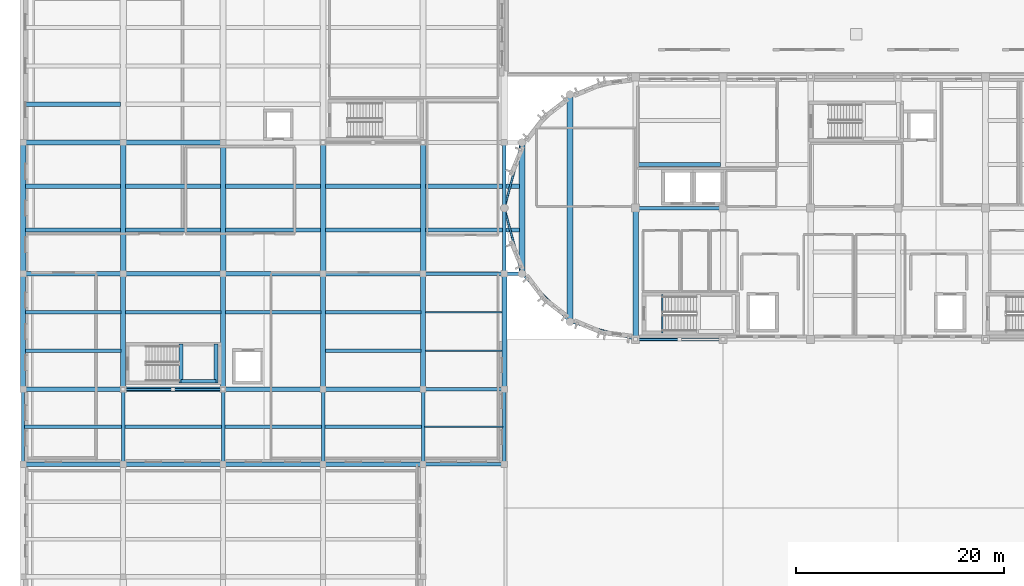
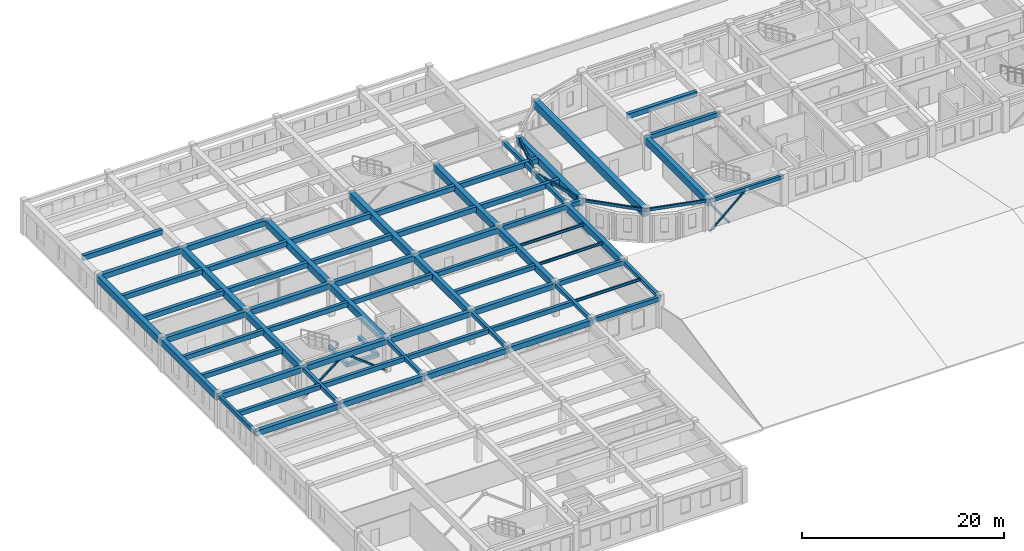
# One storey, part 4 of 46: 74 beams, 4 members.
"""IFC4 building model written with IfcOpenShell, lengths in metres."""

from ifc_helpers import new_model, si_unit, direction, frame, origin, origin_2d, place, context, subcontext, project, spatial, rectangle, hollow_rectangle, i_section, extrude, material, material_profile, profile_set, type_object, element, save


model = new_model("IFC4")

# Units and contexts
model_context = context("Model", 3, precision=1e-05, world=origin(), true_north=direction((0.0, 1.0)))
body_context = subcontext(model_context, "Body", "Model", "MODEL_VIEW")
ifc_project = project(units=[si_unit("LENGTHUNIT", "METRE"), si_unit("AREAUNIT", "SQUARE_METRE"), si_unit("VOLUMEUNIT", "CUBIC_METRE"), si_unit("PLANEANGLEUNIT", "RADIAN"), si_unit("MASSUNIT", "GRAM", prefix="KILO")], contexts=[model_context])

# Site, building, storey
site_placement = place(None, origin())
site = spatial("IfcSite", under=ifc_project, at=site_placement, CompositionType="ELEMENT")
building_placement = place(site_placement, origin())
building = spatial("IfcBuilding", under=site, at=building_placement, Name="Tarnavel Promenade Courthouse", CompositionType="ELEMENT")
storey_placement = place(building_placement, frame((0.0, 0.0, 14.39990234375)))
storey = spatial("IfcBuildingStorey", under=building, at=storey_placement, Name="L04", CompositionType="ELEMENT", Elevation=14.39990234375)

# Beams
ifc_material_1 = material(Name="Concrete C40/50", Category="concrete")
ifc_material_profile_1 = material_profile(ifc_material_1, rectangle(XDim=0.35009765625, YDim=0.550048828125, at=origin_2d()), Name="PT 350x550")
ifc_profile_set_1 = profile_set([ifc_material_profile_1], Name="Concrete C40/50")
beam_type_1 = type_object("IfcBeamType", Name="Concrete C40/50 BM-PT-350x550 (PT 350x550)", PredefinedType="JOIST", material=ifc_profile_set_1)
beam_1_placement = place(storey_placement, frame((0.1201171875, 70.800048828125, 3.68017578125), z_axis=(1.0, 0.0, 0.0), x_axis=(0.0, 1.0, 0.0)))
element("IfcBeam", 1, at=beam_1_placement, inside=storey, type_object=beam_type_1, Name="L04 Secondary Floor Rib 2149", PredefinedType="JOIST", context=body_context, shape_type="SweptSolid", body=[
    extrude(rectangle(XDim=0.35009765625, YDim=0.550048828125, at=origin_2d()), origin(), (0.0, 0.0, 1.0), 9.3349609375),
])
beam_2_placement = place(storey_placement, frame((9.7451171875, 70.800048828125, 3.68017578125), z_axis=(1.0, 0.0, 0.0), x_axis=(0.0, 1.0, 0.0)))
element("IfcBeam", 2, at=beam_2_placement, inside=storey, type_object=beam_type_1, Name="L04 Secondary Floor Rib 2150", PredefinedType="JOIST", context=body_context, shape_type="SweptSolid", body=[
    extrude(rectangle(XDim=0.35009765625, YDim=0.550048828125, at=origin_2d()), origin(), (0.0, 0.0, 1.0), 9.309814453125),
])
beam_3_placement = place(storey_placement, frame((19.344970703125, 70.800048828125, 3.68017578125), z_axis=(1.0, 0.0, 0.0), x_axis=(0.0, 1.0, 0.0)))
element("IfcBeam", 3, at=beam_3_placement, inside=storey, type_object=beam_type_1, Name="L04 Secondary Floor Rib 2151", PredefinedType="JOIST", context=body_context, shape_type="SweptSolid", body=[
    extrude(rectangle(XDim=0.35009765625, YDim=0.550048828125, at=origin_2d()), origin(), (0.0, 0.0, 1.0), 9.31005859375),
])
beam_4_placement = place(storey_placement, frame((28.945068359375, 70.800048828125, 3.68017578125), z_axis=(1.0, 0.0, 0.0), x_axis=(0.0, 1.0, 0.0)))
element("IfcBeam", 4, at=beam_4_placement, inside=storey, type_object=beam_type_1, Name="L04 Secondary Floor Rib 2152", PredefinedType="JOIST", context=body_context, shape_type="SweptSolid", body=[
    extrude(rectangle(XDim=0.35009765625, YDim=0.550048828125, at=origin_2d()), origin(), (0.0, 0.0, 1.0), 9.309814453125),
])
for number, where, z_axis, x_axis, name in (
    (5, (0.219970703125, 78.10009765625, 3.68017578125), (1.0, 0.0, 0.0), (0.0, 1.0, 0.0), "L04 Secondary Floor Rib 2154"),
    (6, (0.219970703125, 81.800048828125, 3.68017578125), (1.0, 0.0, 0.0), (0.0, 1.0, 0.0), "L04 Secondary Floor Rib 2155"),
    (7, (9.820068359375, 81.800048828125, 3.68017578125), (1.0, 0.0, 0.0), (0.0, 1.0, 0.0), "L04 Secondary Floor Rib 2156"),
):
    element("IfcBeam", number, at=place(storey_placement, frame(where, z_axis=z_axis, x_axis=x_axis)), inside=storey, type_object=beam_type_1, Name=name, PredefinedType="JOIST", context=body_context, shape_type="SweptSolid", body=[
        extrude(rectangle(XDim=0.35009765625, YDim=0.550048828125, at=origin_2d()), origin(), (0.0, 0.0, 1.0), 9.159912109375),
    ])
beam_5_placement = place(storey_placement, frame((19.419921875, 81.800048828125, 3.68017578125), z_axis=(1.0, 0.0, 0.0), x_axis=(0.0, 1.0, 0.0)))
element("IfcBeam", 8, at=beam_5_placement, inside=storey, type_object=beam_type_1, Name="L04 Secondary Floor Rib 2157", PredefinedType="JOIST", context=body_context, shape_type="SweptSolid", body=[
    extrude(rectangle(XDim=0.35009765625, YDim=0.550048828125, at=origin_2d()), origin(), (0.0, 0.0, 1.0), 9.16015625),
])
for number, where, z_axis, x_axis, name in (
    (9, (29.02001953125, 78.10009765625, 3.68017578125), (1.0, 0.0, 0.0), (0.0, 1.0, 0.0), "L04 Secondary Floor Rib 2158"),
    (10, (29.02001953125, 81.800048828125, 3.68017578125), (1.0, 0.0, 0.0), (0.0, 1.0, 0.0), "L04 Secondary Floor Rib 2159"),
):
    element("IfcBeam", number, at=place(storey_placement, frame(where, z_axis=z_axis, x_axis=x_axis)), inside=storey, type_object=beam_type_1, Name=name, PredefinedType="JOIST", context=body_context, shape_type="SweptSolid", body=[
        extrude(rectangle(XDim=0.35009765625, YDim=0.550048828125, at=origin_2d()), origin(), (0.0, 0.0, 1.0), 9.159912109375),
    ])
ifc_material_profile_2 = material_profile(ifc_material_1, rectangle(XDim=0.39990234375, YDim=0.60009765625, at=origin_2d()), Name="PT 400x600")
ifc_profile_set_2 = profile_set([ifc_material_profile_2], Name="Concrete C40/50")
beam_type_2 = type_object("IfcBeamType", Name="Concrete C40/50 BM-PT-400x600 (PT 400x600)", PredefinedType="JOIST", material=ifc_profile_set_2)
for number, where, z_axis, x_axis, name in (
    (11, (0.2451171875, 89.699951171875, 3.655029296875), (1.0, 0.0, 0.0), (0.0, 1.0, 0.0), "L04 Secondary Floor Rib 2162"),
    (12, (0.2451171875, 93.89990234375, 3.655029296875), (1.0, 0.0, 0.0), (0.0, 1.0, 0.0), "L04 Secondary Floor Rib 2163"),
):
    element("IfcBeam", number, at=place(storey_placement, frame(where, z_axis=z_axis, x_axis=x_axis)), inside=storey, type_object=beam_type_2, Name=name, PredefinedType="JOIST", context=body_context, shape_type="SweptSolid", body=[
        extrude(rectangle(XDim=0.39990234375, YDim=0.60009765625, at=origin_2d()), origin(), (0.0, 0.0, 1.0), 9.10986328125),
    ])
for number, where, z_axis, x_axis, name in (
    (13, (9.844970703125, 89.699951171875, 3.655029296875), (1.0, 0.0, 0.0), (0.0, 1.0, 0.0), "L04 Secondary Floor Rib 2164"),
    (14, (9.844970703125, 93.89990234375, 3.655029296875), (1.0, 0.0, 0.0), (0.0, 1.0, 0.0), "L04 Secondary Floor Rib 2165"),
):
    element("IfcBeam", number, at=place(storey_placement, frame(where, z_axis=z_axis, x_axis=x_axis)), inside=storey, type_object=beam_type_2, Name=name, PredefinedType="JOIST", context=body_context, shape_type="SweptSolid", body=[
        extrude(rectangle(XDim=0.39990234375, YDim=0.60009765625, at=origin_2d()), origin(), (0.0, 0.0, 1.0), 9.110107421875),
    ])
for number, where, z_axis, x_axis, name in (
    (15, (19.445068359375, 89.699951171875, 3.655029296875), (1.0, 0.0, 0.0), (0.0, 1.0, 0.0), "L04 Secondary Floor Rib 2166"),
    (16, (19.445068359375, 93.89990234375, 3.655029296875), (1.0, 0.0, 0.0), (0.0, 1.0, 0.0), "L04 Secondary Floor Rib 2167"),
):
    element("IfcBeam", number, at=place(storey_placement, frame(where, z_axis=z_axis, x_axis=x_axis)), inside=storey, type_object=beam_type_2, Name=name, PredefinedType="JOIST", context=body_context, shape_type="SweptSolid", body=[
        extrude(rectangle(XDim=0.39990234375, YDim=0.60009765625, at=origin_2d()), origin(), (0.0, 0.0, 1.0), 9.10986328125),
    ])
for number, where, z_axis, x_axis, name in (
    (17, (29.044921875, 89.699951171875, 3.655029296875), (1.0, 0.0, 0.0), (0.0, 1.0, 0.0), "L04 Secondary Floor Rib 2168"),
    (18, (29.044921875, 93.89990234375, 3.655029296875), (1.0, 0.0, 0.0), (0.0, 1.0, 0.0), "L04 Secondary Floor Rib 2169"),
):
    element("IfcBeam", number, at=place(storey_placement, frame(where, z_axis=z_axis, x_axis=x_axis)), inside=storey, type_object=beam_type_2, Name=name, PredefinedType="JOIST", context=body_context, shape_type="SweptSolid", body=[
        extrude(rectangle(XDim=0.39990234375, YDim=0.60009765625, at=origin_2d()), origin(), (0.0, 0.0, 1.0), 9.110107421875),
    ])
for number, where, z_axis, x_axis, name in (
    (19, (38.64501953125, 89.699951171875, 3.655029296875), (1.0, 0.0, 0.0), (0.0, 1.0, 0.0), "L04 Secondary Floor Rib 2170"),
    (20, (38.64501953125, 93.89990234375, 3.655029296875), (1.0, 0.0, 0.0), (0.0, 1.0, 0.0), "L04 Secondary Floor Rib 2171"),
):
    element("IfcBeam", number, at=place(storey_placement, frame(where, z_axis=z_axis, x_axis=x_axis)), inside=storey, type_object=beam_type_2, Name=name, PredefinedType="JOIST", context=body_context, shape_type="SweptSolid", body=[
        extrude(rectangle(XDim=0.39990234375, YDim=0.60009765625, at=origin_2d()), origin(), (0.0, 0.0, 1.0), 8.998046875),
    ])
beam_6_placement = place(storey_placement, frame((0.27001953125, 101.77490234375, 3.655029296875), z_axis=(1.0, 0.0, 0.0), x_axis=(0.0, 1.0, 0.0)))
element("IfcBeam", 21, at=beam_6_placement, inside=storey, type_object=beam_type_2, Name="L04 Secondary Floor Rib 2172", PredefinedType="JOIST", context=body_context, shape_type="SweptSolid", body=[
    extrude(rectangle(XDim=0.39990234375, YDim=0.60009765625, at=origin_2d()), origin(), (0.0, 0.0, 1.0), 9.06005859375),
])
beam_7_placement = place(storey_placement, frame((59.044921875, 96.0, 3.655029296875), z_axis=(1.0, 0.0, 0.0), x_axis=(0.0, 1.0, 0.0)))
element("IfcBeam", 22, at=beam_7_placement, inside=storey, type_object=beam_type_2, Name="L04 Secondary Floor Rib 2189", PredefinedType="JOIST", context=body_context, shape_type="SweptSolid", body=[
    extrude(rectangle(XDim=0.39990234375, YDim=0.60009765625, at=origin_2d()), origin(), (0.0, 0.0, 1.0), 7.91015625),
])
ifc_material_profile_3 = material_profile(ifc_material_1, rectangle(XDim=0.5, YDim=0.800048828125, at=origin_2d()), Name="PT 500x800")
ifc_profile_set_3 = profile_set([ifc_material_profile_3], Name="Concrete C40/50")
beam_type_3 = type_object("IfcBeamType", Name="Concrete C40/50 BM-PT-500x800 (PT 500x800)", PredefinedType="T_BEAM", material=ifc_profile_set_3)
for number, where, z_axis, x_axis, name in (
    (23, (0.0, 74.39990234375, 3.55517578125), (0.0, 1.0, 0.0), (-1.0, 0.0, 0.0), "L04 Transverse Girder 2065"),
    (24, (9.60009765625, 74.39990234375, 3.55517578125), (0.0, 1.0, 0.0), (-1.0, 0.0, 0.0), "L04 Transverse Girder 2071"),
    (25, (19.199951171875, 74.39990234375, 3.55517578125), (0.0, 1.0, 0.0), (-1.0, 0.0, 0.0), "L04 Transverse Girder 2078"),
    (26, (28.800048828125, 74.39990234375, 3.55517578125), (0.0, 1.0, 0.0), (-1.0, 0.0, 0.0), "L04 Transverse Girder 2085"),
    (27, (38.39990234375, 74.39990234375, 3.55517578125), (0.0, 1.0, 0.0), (-1.0, 0.0, 0.0), "L04 Transverse Girder 2092"),
    (28, (46.199951171875, 74.39990234375, 3.55517578125), (0.0, 1.0, 0.0), (-1.0, 0.0, 0.0), "L04 Transverse Girder 2096"),
):
    element("IfcBeam", number, at=place(storey_placement, frame(where, z_axis=z_axis, x_axis=x_axis)), inside=storey, type_object=beam_type_3, Name=name, PredefinedType="T_BEAM", context=body_context, shape_type="SweptSolid", body=[
        extrude(rectangle(XDim=0.5, YDim=0.800048828125, at=origin_2d()), origin(), (0.0, 0.0, 1.0), 11.10009765625),
    ])
ifc_material_profile_4 = material_profile(ifc_material_1, rectangle(XDim=0.550048828125, YDim=0.85009765625, at=origin_2d()), Name="PT 550x850")
ifc_profile_set_4 = profile_set([ifc_material_profile_4], Name="Concrete C40/50")
beam_type_4 = type_object("IfcBeamType", Name="Concrete C40/50 BM-PT-550x850 (PT 550x850)", PredefinedType="T_BEAM", material=ifc_profile_set_4)
for number, where, z_axis, x_axis, name in (
    (29, (0.0, 85.5, 3.530029296875), (0.0, 1.0, 0.0), (-1.0, 0.0, 0.0), "L04 Transverse Girder 2066"),
    (30, (9.60009765625, 85.5, 3.530029296875), (0.0, 1.0, 0.0), (-1.0, 0.0, 0.0), "L04 Transverse Girder 2072"),
    (31, (19.199951171875, 85.5, 3.530029296875), (0.0, 1.0, 0.0), (-1.0, 0.0, 0.0), "L04 Transverse Girder 2079"),
    (32, (28.800048828125, 85.5, 3.530029296875), (0.0, 1.0, 0.0), (-1.0, 0.0, 0.0), "L04 Transverse Girder 2086"),
    (33, (38.39990234375, 85.5, 3.530029296875), (0.0, 1.0, 0.0), (-1.0, 0.0, 0.0), "L04 Transverse Girder 2093"),
    (34, (47.88818359375, 85.5, 3.530029296875), (0.0, 1.0, 0.0), (-1.0, 0.0, 0.0), "L04 Transverse Girder 2100"),
    (35, (58.800048828125, 79.199951171875, 3.530029296875), (0.0, 1.0, 0.0), (-1.0, 0.0, 0.0), "L04 Transverse Girder 2102"),
):
    element("IfcBeam", number, at=place(storey_placement, frame(where, z_axis=z_axis, x_axis=x_axis)), inside=storey, type_object=beam_type_4, Name=name, PredefinedType="T_BEAM", context=body_context, shape_type="SweptSolid", body=[
        extrude(rectangle(XDim=0.550048828125, YDim=0.85009765625, at=origin_2d()), origin(), (0.0, 0.0, 1.0), 12.60009765625),
    ])
ifc_material_profile_5 = material_profile(ifc_material_1, rectangle(XDim=0.60009765625, YDim=0.949951171875, at=origin_2d()), Name="PT 600x950")
ifc_profile_set_5 = profile_set([ifc_material_profile_5], Name="Concrete C40/50")
beam_type_5 = type_object("IfcBeamType", Name="Concrete C40/50 BM-PT-600x950 (PT 600x950)", PredefinedType="T_BEAM", material=ifc_profile_set_5)
beam_8_placement = place(storey_placement, frame((52.5, 80.88818359375, 3.47998046875), z_axis=(0.0, 1.0, 0.0), x_axis=(-1.0, 0.0, 0.0)))
element("IfcBeam", 36, at=beam_8_placement, inside=storey, type_object=beam_type_5, Name="L04 Transverse Girder 2101", PredefinedType="T_BEAM", context=body_context, shape_type="SweptSolid", body=[
    extrude(rectangle(XDim=0.60009765625, YDim=0.949951171875, at=origin_2d()), origin(), (0.0, 0.0, 1.0), 21.82373046875),
])
ifc_material_profile_6 = material_profile(ifc_material_1, rectangle(XDim=0.35009765625, YDim=0.449951171875, at=origin_2d()), Name="RC 350x450")
ifc_profile_set_6 = profile_set([ifc_material_profile_6], Name="Concrete C40/50")
beam_type_6 = type_object("IfcBeamType", Name="Concrete C40/50 BM-RC-350x450 (RC 350x450)", PredefinedType="BEAM", material=ifc_profile_set_6)
for number, where, z_axis, x_axis, name in (
    (37, (9.60009765625, 67.199951171875, 3.72998046875), (0.0, 1.0, 0.0), (-1.0, 0.0, 0.0), "L04 Transverse Girder 2070"),
    (38, (19.199951171875, 67.199951171875, 3.72998046875), (0.0, 1.0, 0.0), (-1.0, 0.0, 0.0), "L04 Transverse Girder 2077"),
    (39, (28.800048828125, 67.199951171875, 3.72998046875), (0.0, 1.0, 0.0), (-1.0, 0.0, 0.0), "L04 Transverse Girder 2084"),
    (40, (38.39990234375, 67.199951171875, 3.72998046875), (0.0, 1.0, 0.0), (-1.0, 0.0, 0.0), "L04 Transverse Girder 2091"),
    (41, (46.199951171875, 67.199951171875, 3.72998046875), (0.0, 1.0, 0.0), (-1.0, 0.0, 0.0), "L04 Transverse Girder 2095"),
):
    element("IfcBeam", number, at=place(storey_placement, frame(where, z_axis=z_axis, x_axis=x_axis)), inside=storey, type_object=beam_type_6, Name=name, PredefinedType="BEAM", context=body_context, shape_type="SweptSolid", body=[
        extrude(rectangle(XDim=0.35009765625, YDim=0.449951171875, at=origin_2d()), origin(), (0.0, 0.0, 1.0), 7.199951171875),
    ])
for number, where, z_axis, x_axis, name in (
    (42, (46.199951171875, 85.5, 3.72998046875), (0.0, 1.0, 0.0), (-1.0, 0.0, 0.0), "L04 Transverse Girder 2097"),
    (43, (46.199951171875, 91.800048828125, 3.72998046875), (0.0, 1.0, 0.0), (-1.0, 0.0, 0.0), "L04 Transverse Girder 2098"),
):
    element("IfcBeam", number, at=place(storey_placement, frame(where, z_axis=z_axis, x_axis=x_axis)), inside=storey, type_object=beam_type_6, Name=name, PredefinedType="BEAM", context=body_context, shape_type="SweptSolid", body=[
        extrude(rectangle(XDim=0.35009765625, YDim=0.449951171875, at=origin_2d()), origin(), (0.0, 0.0, 1.0), 6.300048828125),
    ])
for number, where, z_axis, x_axis, name in (
    (44, (15.14990234375, 75.02001953125, 1.670166015625), (0.0, 1.0, 0.0), (-1.0, 0.0, 0.0), "L04 ST-04 Mid-Landing Support Beam Near"),
    (45, (18.52001953125, 75.02001953125, 1.670166015625), (0.0, 1.0, 0.0), (-1.0, 0.0, 0.0), "L04 ST-04 Mid-Landing Support Beam Far"),
):
    element("IfcBeam", number, at=place(storey_placement, frame(where, z_axis=z_axis, x_axis=x_axis)), inside=storey, type_object=beam_type_6, Name=name, PredefinedType="BEAM", context=body_context, shape_type="SweptSolid", body=[
        extrude(rectangle(XDim=0.35009765625, YDim=0.449951171875, at=origin_2d()), origin(), (0.0, 0.0, 1.0), 3.719970703125),
    ])
beam_9_placement = place(storey_placement, frame((15.14990234375, 75.169921875, 1.670166015625), z_axis=(1.0, 0.0, 0.0), x_axis=(0.0, 1.0, 0.0)))
element("IfcBeam", 46, at=beam_9_placement, inside=storey, type_object=beam_type_6, Name="L04 ST-04 Mid-Landing Edge Trimmer", PredefinedType="BEAM", context=body_context, shape_type="SweptSolid", body=[
    extrude(rectangle(XDim=0.35009765625, YDim=0.449951171875, at=origin_2d()), origin(), (0.0, 0.0, 1.0), 3.3701171875),
])
ifc_material_profile_7 = material_profile(ifc_material_1, rectangle(XDim=0.35009765625, YDim=0.550048828125, at=origin_2d()), Name="RC 350x550")
ifc_profile_set_7 = profile_set([ifc_material_profile_7], Name="Concrete C40/50")
beam_type_7 = type_object("IfcBeamType", Name="Concrete C40/50 BM-RC-350x550 (RC 350x550)", PredefinedType="BEAM", material=ifc_profile_set_7)
for number, where, z_axis, x_axis, name in (
    (47, (38.39990234375, 67.199951171875, 3.68017578125), (1.0, 0.0, 0.0), (0.0, 1.0, 0.0), "L04 Primary Longitudinal Beam 2015"),
    (48, (38.39990234375, 74.39990234375, 3.68017578125), (1.0, 0.0, 0.0), (0.0, 1.0, 0.0), "L04 Primary Longitudinal Beam 2027"),
    (49, (38.39990234375, 85.5, 3.68017578125), (1.0, 0.0, 0.0), (0.0, 1.0, 0.0), "L04 Primary Longitudinal Beam 2037"),
):
    element("IfcBeam", number, at=place(storey_placement, frame(where, z_axis=z_axis, x_axis=x_axis)), inside=storey, type_object=beam_type_7, Name=name, PredefinedType="BEAM", context=body_context, shape_type="SweptSolid", body=[
        extrude(rectangle(XDim=0.35009765625, YDim=0.550048828125, at=origin_2d()), origin(), (0.0, 0.0, 1.0), 7.800048828125),
    ])
beam_10_placement = place(storey_placement, frame((46.199951171875, 85.5, 3.68017578125), z_axis=(1.0, 0.0, 0.0), x_axis=(0.0, 1.0, 0.0)))
element("IfcBeam", 50, at=beam_10_placement, inside=storey, type_object=beam_type_7, Name="L04 Primary Longitudinal Beam 2038", PredefinedType="BEAM", context=body_context, shape_type="SweptSolid", body=[
    extrude(rectangle(XDim=0.35009765625, YDim=0.550048828125, at=origin_2d()), origin(), (0.0, 0.0, 1.0), 1.688232421875),
])
beam_11_placement = place(storey_placement, frame((58.800048828125, 91.800048828125, 3.68017578125), z_axis=(1.0, 0.0, 0.0), x_axis=(0.0, 1.0, 0.0)))
element("IfcBeam", 51, at=beam_11_placement, inside=storey, type_object=beam_type_7, Name="L04 Primary Longitudinal Beam 2039", PredefinedType="BEAM", context=body_context, shape_type="SweptSolid", body=[
    extrude(rectangle(XDim=0.35009765625, YDim=0.550048828125, at=origin_2d()), origin(), (0.0, 0.0, 1.0), 8.39990234375),
])
ifc_material_profile_8 = material_profile(ifc_material_1, rectangle(XDim=0.449951171875, YDim=0.64990234375, at=origin_2d()), Name="RC 450x650")
ifc_profile_set_8 = profile_set([ifc_material_profile_8], Name="Concrete C40/50")
beam_type_8 = type_object("IfcBeamType", Name="Concrete C40/50 BM-RC-450x650 (RC 450x650)", PredefinedType="T_BEAM", material=ifc_profile_set_8)
beam_12_placement = place(storey_placement, frame((0.0, 67.199951171875, 3.570068359375), z_axis=(1.0, 0.0, 0.0), x_axis=(0.0, 1.0, 0.0)))
element("IfcBeam", 52, at=beam_12_placement, inside=storey, type_object=beam_type_8, Name="L04 Primary Longitudinal Beam 2011", PredefinedType="T_BEAM", context=body_context, shape_type="SweptSolid", body=[
    extrude(rectangle(XDim=0.449951171875, YDim=0.64990234375, at=origin_2d()), origin(), (0.0, 0.0, 1.0), 9.60009765625),
])
beam_13_placement = place(storey_placement, frame((9.60009765625, 67.199951171875, 3.570068359375), z_axis=(1.0, 0.0, 0.0), x_axis=(0.0, 1.0, 0.0)))
element("IfcBeam", 53, at=beam_13_placement, inside=storey, type_object=beam_type_8, Name="L04 Primary Longitudinal Beam 2012", PredefinedType="T_BEAM", context=body_context, shape_type="SweptSolid", body=[
    extrude(rectangle(XDim=0.449951171875, YDim=0.64990234375, at=origin_2d()), origin(), (0.0, 0.0, 1.0), 9.599853515625),
])
beam_14_placement = place(storey_placement, frame((19.199951171875, 67.199951171875, 3.570068359375), z_axis=(1.0, 0.0, 0.0), x_axis=(0.0, 1.0, 0.0)))
element("IfcBeam", 54, at=beam_14_placement, inside=storey, type_object=beam_type_8, Name="L04 Primary Longitudinal Beam 2013", PredefinedType="T_BEAM", context=body_context, shape_type="SweptSolid", body=[
    extrude(rectangle(XDim=0.449951171875, YDim=0.64990234375, at=origin_2d()), origin(), (0.0, 0.0, 1.0), 9.60009765625),
])
beam_15_placement = place(storey_placement, frame((28.800048828125, 67.199951171875, 3.570068359375), z_axis=(1.0, 0.0, 0.0), x_axis=(0.0, 1.0, 0.0)))
element("IfcBeam", 55, at=beam_15_placement, inside=storey, type_object=beam_type_8, Name="L04 Primary Longitudinal Beam 2014", PredefinedType="T_BEAM", context=body_context, shape_type="SweptSolid", body=[
    extrude(rectangle(XDim=0.449951171875, YDim=0.64990234375, at=origin_2d()), origin(), (0.0, 0.0, 1.0), 9.599853515625),
])
beam_16_placement = place(storey_placement, frame((0.0, 74.39990234375, 3.630126953125), z_axis=(1.0, 0.0, 0.0), x_axis=(0.0, 1.0, 0.0)))
element("IfcBeam", 56, at=beam_16_placement, inside=storey, type_object=beam_type_8, Name="L04 Primary Longitudinal Beam 2023", PredefinedType="T_BEAM", context=body_context, shape_type="SweptSolid", body=[
    extrude(rectangle(XDim=0.449951171875, YDim=0.64990234375, at=origin_2d()), origin(), (0.0, 0.0, 1.0), 9.60009765625),
])
beam_17_placement = place(storey_placement, frame((9.60009765625, 74.39990234375, 3.630126953125), z_axis=(1.0, 0.0, 0.0), x_axis=(0.0, 1.0, 0.0)))
element("IfcBeam", 57, at=beam_17_placement, inside=storey, type_object=beam_type_8, Name="L04 Primary Longitudinal Beam 2024", PredefinedType="T_BEAM", context=body_context, shape_type="SweptSolid", body=[
    extrude(rectangle(XDim=0.449951171875, YDim=0.64990234375, at=origin_2d()), origin(), (0.0, 0.0, 1.0), 9.599853515625),
])
beam_18_placement = place(storey_placement, frame((19.199951171875, 74.39990234375, 3.630126953125), z_axis=(1.0, 0.0, 0.0), x_axis=(0.0, 1.0, 0.0)))
element("IfcBeam", 58, at=beam_18_placement, inside=storey, type_object=beam_type_8, Name="L04 Primary Longitudinal Beam 2025", PredefinedType="T_BEAM", context=body_context, shape_type="SweptSolid", body=[
    extrude(rectangle(XDim=0.449951171875, YDim=0.64990234375, at=origin_2d()), origin(), (0.0, 0.0, 1.0), 9.60009765625),
])
beam_19_placement = place(storey_placement, frame((28.800048828125, 74.39990234375, 3.630126953125), z_axis=(1.0, 0.0, 0.0), x_axis=(0.0, 1.0, 0.0)))
element("IfcBeam", 59, at=beam_19_placement, inside=storey, type_object=beam_type_8, Name="L04 Primary Longitudinal Beam 2026", PredefinedType="T_BEAM", context=body_context, shape_type="SweptSolid", body=[
    extrude(rectangle(XDim=0.449951171875, YDim=0.64990234375, at=origin_2d()), origin(), (0.0, 0.0, 1.0), 9.599853515625),
])
beam_20_placement = place(storey_placement, frame((0.0, 85.5, 3.630126953125), z_axis=(1.0, 0.0, 0.0), x_axis=(0.0, 1.0, 0.0)))
element("IfcBeam", 60, at=beam_20_placement, inside=storey, type_object=beam_type_8, Name="L04 Primary Longitudinal Beam 2033", PredefinedType="T_BEAM", context=body_context, shape_type="SweptSolid", body=[
    extrude(rectangle(XDim=0.449951171875, YDim=0.64990234375, at=origin_2d()), origin(), (0.0, 0.0, 1.0), 9.60009765625),
])
beam_21_placement = place(storey_placement, frame((9.60009765625, 85.5, 3.630126953125), z_axis=(1.0, 0.0, 0.0), x_axis=(0.0, 1.0, 0.0)))
element("IfcBeam", 61, at=beam_21_placement, inside=storey, type_object=beam_type_8, Name="L04 Primary Longitudinal Beam 2034", PredefinedType="T_BEAM", context=body_context, shape_type="SweptSolid", body=[
    extrude(rectangle(XDim=0.449951171875, YDim=0.64990234375, at=origin_2d()), origin(), (0.0, 0.0, 1.0), 9.599853515625),
])
beam_22_placement = place(storey_placement, frame((19.199951171875, 85.5, 3.630126953125), z_axis=(1.0, 0.0, 0.0), x_axis=(0.0, 1.0, 0.0)))
element("IfcBeam", 62, at=beam_22_placement, inside=storey, type_object=beam_type_8, Name="L04 Primary Longitudinal Beam 2035", PredefinedType="T_BEAM", context=body_context, shape_type="SweptSolid", body=[
    extrude(rectangle(XDim=0.449951171875, YDim=0.64990234375, at=origin_2d()), origin(), (0.0, 0.0, 1.0), 9.60009765625),
])
beam_23_placement = place(storey_placement, frame((28.800048828125, 85.5, 3.630126953125), z_axis=(1.0, 0.0, 0.0), x_axis=(0.0, 1.0, 0.0)))
element("IfcBeam", 63, at=beam_23_placement, inside=storey, type_object=beam_type_8, Name="L04 Primary Longitudinal Beam 2036", PredefinedType="T_BEAM", context=body_context, shape_type="SweptSolid", body=[
    extrude(rectangle(XDim=0.449951171875, YDim=0.64990234375, at=origin_2d()), origin(), (0.0, 0.0, 1.0), 9.599853515625),
])
beam_24_placement = place(storey_placement, frame((0.0, 98.10009765625, 3.630126953125), z_axis=(1.0, 0.0, 0.0), x_axis=(0.0, 1.0, 0.0)))
element("IfcBeam", 64, at=beam_24_placement, inside=storey, type_object=beam_type_8, Name="L04 Primary Longitudinal Beam 2045", PredefinedType="T_BEAM", context=body_context, shape_type="SweptSolid", body=[
    extrude(rectangle(XDim=0.449951171875, YDim=0.64990234375, at=origin_2d()), origin(), (0.0, 0.0, 1.0), 9.60009765625),
])
beam_25_placement = place(storey_placement, frame((9.60009765625, 98.10009765625, 3.630126953125), z_axis=(1.0, 0.0, 0.0), x_axis=(0.0, 1.0, 0.0)))
element("IfcBeam", 65, at=beam_25_placement, inside=storey, type_object=beam_type_8, Name="L04 Primary Longitudinal Beam 2046", PredefinedType="T_BEAM", context=body_context, shape_type="SweptSolid", body=[
    extrude(rectangle(XDim=0.449951171875, YDim=0.64990234375, at=origin_2d()), origin(), (0.0, 0.0, 1.0), 9.599853515625),
])
ifc_material_profile_9 = material_profile(ifc_material_1, rectangle(XDim=0.300048828125, YDim=0.449951171875, at=origin_2d()), Name="RC 300x450")
ifc_profile_set_9 = profile_set([ifc_material_profile_9], Name="Concrete C40/50")
beam_type_9 = type_object("IfcBeamType", Name="Concrete C40/50 BM-SP-300x450 (RC 300x450)", PredefinedType="SPANDREL", material=ifc_profile_set_9)
beam_26_placement = place(storey_placement, frame((58.800048828125, 79.199951171875, 3.72998046875), z_axis=(1.0, 0.0, 0.0), x_axis=(0.0, 1.0, 0.0)))
element("IfcBeam", 66, at=beam_26_placement, inside=storey, type_object=beam_type_9, Name="L04 Primary Longitudinal Beam 2028", PredefinedType="SPANDREL", context=body_context, shape_type="SweptSolid", body=[
    extrude(rectangle(XDim=0.300048828125, YDim=0.449951171875, at=origin_2d()), origin(), (0.0, 0.0, 1.0), 8.39990234375),
])
ifc_material_profile_10 = material_profile(ifc_material_1, rectangle(XDim=0.300048828125, YDim=0.5, at=origin_2d()), Name="RC 300x500")
ifc_profile_set_10 = profile_set([ifc_material_profile_10], Name="Concrete C40/50")
beam_type_10 = type_object("IfcBeamType", Name="Concrete C40/50 BM-SP-300x500 (RC 300x500)", PredefinedType="SPANDREL", material=ifc_profile_set_10)
beam_27_placement = place(storey_placement, frame((0.0, 67.199951171875, 3.705078125), z_axis=(0.0, 1.0, 0.0), x_axis=(-1.0, 0.0, 0.0)))
element("IfcBeam", 67, at=beam_27_placement, inside=storey, type_object=beam_type_10, Name="L04 Transverse Girder 2064", PredefinedType="SPANDREL", context=body_context, shape_type="SweptSolid", body=[
    extrude(rectangle(XDim=0.300048828125, YDim=0.5, at=origin_2d()), origin(), (0.0, 0.0, 1.0), 7.199951171875),
])
ifc_material_2 = material(Name="Steel S355J2", Category="steel")
ifc_material_profile_11 = material_profile(ifc_material_2, i_section(OverallWidth=0.159912109375, OverallDepth=0.330078125, WebThickness=0.007568359375, FlangeThickness=0.011474609375, FilletRadius=0.01806640625, at=origin_2d()), Name="IPE 330")
ifc_profile_set_11 = profile_set([ifc_material_profile_11], Name="Steel S355J2")
beam_type_11 = type_object("IfcBeamType", Name="Steel S355J2 BM-ST-IPE330 (IPE 330)", PredefinedType="JOIST", material=ifc_profile_set_11)
beam_28_placement = place(storey_placement, frame((38.544921875, 70.800048828125, 3.7900390625), z_axis=(1.0, 0.0, 0.0), x_axis=(0.0, 1.0, 0.0)))
element("IfcBeam", 68, at=beam_28_placement, inside=storey, type_object=beam_type_11, Name="L04 Secondary Floor Rib 2153", PredefinedType="JOIST", context=body_context, shape_type="SweptSolid", body=[
    extrude(i_section(OverallWidth=0.159912109375, OverallDepth=0.330078125, WebThickness=0.007568359375, FlangeThickness=0.011474609375, FilletRadius=0.01806640625, at=origin_2d()), origin(), (0.0, 0.0, 1.0), 7.510009765625),
])
for number, where, z_axis, x_axis, name in (
    (69, (38.6201171875, 78.10009765625, 3.7900390625), (1.0, 0.0, 0.0), (0.0, 1.0, 0.0), "L04 Secondary Floor Rib 2160"),
    (70, (38.6201171875, 81.800048828125, 3.7900390625), (1.0, 0.0, 0.0), (0.0, 1.0, 0.0), "L04 Secondary Floor Rib 2161"),
):
    element("IfcBeam", number, at=place(storey_placement, frame(where, z_axis=z_axis, x_axis=x_axis)), inside=storey, type_object=beam_type_11, Name=name, PredefinedType="JOIST", context=body_context, shape_type="SweptSolid", body=[
        extrude(i_section(OverallWidth=0.159912109375, OverallDepth=0.330078125, WebThickness=0.007568359375, FlangeThickness=0.011474609375, FilletRadius=0.01806640625, at=origin_2d()), origin(), (0.0, 0.0, 1.0), 7.35986328125),
    ])
ifc_material_profile_12 = material_profile(ifc_material_2, hollow_rectangle(XDim=0.199951171875, YDim=0.35009765625, WallThickness=0.012451171875, InnerFilletRadius=0.012451171875, OuterFilletRadius=0.02490234375, at=origin_2d()), Name="RHS 350x200x12.5")
ifc_profile_set_12 = profile_set([ifc_material_profile_12], Name="Steel S355J2")
beam_type_12 = type_object("IfcBeamType", Name="Steel S355J2 BM-ST-RHS350 (RHS 350x200x12.5)", PredefinedType="SPANDREL", material=ifc_profile_set_12)
for number, where, z_axis, x_axis, name in (
    (71, (47.88818359375, 98.10009765625, 3.780029296875), (-0.258838989821, -0.965920481897, 0.0), (0.965920481897, -0.258838989821, 0.0), "L04 Drum Ring Spandrel 2207"),
    (72, (46.199951171875, 91.800048828125, 3.780029296875), (0.258838989821, -0.965920481897, 0.0), (0.965920481897, 0.258838989821, 0.0), "L04 Drum Ring Spandrel 2208"),
):
    element("IfcBeam", number, at=place(storey_placement, frame(where, z_axis=z_axis, x_axis=x_axis)), inside=storey, type_object=beam_type_12, Name=name, PredefinedType="SPANDREL", context=body_context, shape_type="SweptSolid", body=[
        extrude(hollow_rectangle(XDim=0.199951171875, YDim=0.35009765625, WallThickness=0.012451171875, InnerFilletRadius=0.012451171875, OuterFilletRadius=0.02490234375, at=origin_2d()), origin(), (0.0, 0.0, 1.0), 6.522216796875),
    ])
beam_29_placement = place(storey_placement, frame((47.88818359375, 85.5, 3.780029296875), z_axis=(0.707106781187, -0.707106781187, 0.0), x_axis=(0.707106781187, 0.707106781187, 0.0)))
element("IfcBeam", 73, at=beam_29_placement, inside=storey, type_object=beam_type_12, Name="L04 Drum Ring Spandrel 2209", PredefinedType="SPANDREL", context=body_context, shape_type="SweptSolid", body=[
    extrude(hollow_rectangle(XDim=0.199951171875, YDim=0.35009765625, WallThickness=0.012451171875, InnerFilletRadius=0.012451171875, OuterFilletRadius=0.02490234375, at=origin_2d()), origin(), (0.0, 0.0, 1.0), 6.52197265625),
])
beam_30_placement = place(storey_placement, frame((52.5, 80.88818359375, 3.780029296875), z_axis=(0.965920481897, -0.258838989821, 0.0), x_axis=(0.258838989821, 0.965920481897, 0.0)))
element("IfcBeam", 74, at=beam_30_placement, inside=storey, type_object=beam_type_12, Name="L04 Drum Ring Spandrel 2210", PredefinedType="SPANDREL", context=body_context, shape_type="SweptSolid", body=[
    extrude(hollow_rectangle(XDim=0.199951171875, YDim=0.35009765625, WallThickness=0.012451171875, InnerFilletRadius=0.012451171875, OuterFilletRadius=0.02490234375, at=origin_2d()), origin(), (0.0, 0.0, 1.0), 6.522216796875),
])

# Members
ifc_material_profile_13 = material_profile(ifc_material_2, hollow_rectangle(XDim=0.199951171875, YDim=0.199951171875, WallThickness=0.012451171875, InnerFilletRadius=0.012451171875, OuterFilletRadius=0.02490234375, at=origin_2d()), Name="SHS 200x200x12.5")
ifc_profile_set_13 = profile_set([ifc_material_profile_13], Name="Steel S355J2")
member_type_1 = type_object("IfcMemberType", Name="Steel S355J2 MEM-BR-SHS200 (SHS 200x200x12.5)", PredefinedType="BRACE", material=ifc_profile_set_13)
member_1_placement = place(storey_placement, frame((58.800048828125, 79.199951171875, 0.0), z_axis=(0.749905274185, 0.0, 0.661545221243), x_axis=(0.0, 1.0, 0.0)))
element("IfcMember", 75, at=member_1_placement, inside=storey, type_object=member_type_1, Name="L04 V5 Chevron Brace A 005", PredefinedType="BRACE", context=body_context, shape_type="SweptSolid", body=[
    extrude(hollow_rectangle(XDim=0.199951171875, YDim=0.199951171875, WallThickness=0.012451171875, InnerFilletRadius=0.012451171875, OuterFilletRadius=0.02490234375, at=origin_2d()), origin(), (0.0, 0.0, 1.0), 5.6005859375),
])
member_2_placement = place(storey_placement, frame((9.60009765625, 74.39990234375, 0.0), z_axis=(0.791593054423, 0.0, 0.611048636517), x_axis=(0.0, 1.0, 0.0)))
element("IfcMember", 76, at=member_2_placement, inside=storey, type_object=member_type_1, Name="L04 V2 Chevron Brace A 032", PredefinedType="BRACE", context=body_context, shape_type="SweptSolid", body=[
    extrude(hollow_rectangle(XDim=0.199951171875, YDim=0.199951171875, WallThickness=0.012451171875, InnerFilletRadius=0.012451171875, OuterFilletRadius=0.02490234375, at=origin_2d()), origin(), (0.0, 0.0, 1.0), 6.0634765625),
])
member_3_placement = place(storey_placement, frame((19.199951171875, 74.39990234375, 0.0), z_axis=(-0.791608087548, 0.0, 0.611029161112), x_axis=(0.0, -1.0, 0.0)))
element("IfcMember", 77, at=member_3_placement, inside=storey, type_object=member_type_1, Name="L04 V2 Chevron Brace B 032", PredefinedType="BRACE", context=body_context, shape_type="SweptSolid", body=[
    extrude(hollow_rectangle(XDim=0.199951171875, YDim=0.199951171875, WallThickness=0.012451171875, InnerFilletRadius=0.012451171875, OuterFilletRadius=0.02490234375, at=origin_2d()), origin(), (0.0, 0.0, 1.0), 6.063720703125),
])
ifc_material_profile_14 = material_profile(ifc_material_2, hollow_rectangle(XDim=0.14990234375, YDim=0.25, WallThickness=0.010009765625, InnerFilletRadius=0.010009765625, OuterFilletRadius=0.02001953125, at=origin_2d()), Name="RHS 250x150x10")
ifc_profile_set_14 = profile_set([ifc_material_profile_14], Name="Steel S355J2")
member_type_2 = type_object("IfcMemberType", Name="Steel S355J2 Stair Stringer MEM-STR-250 (RHS 250x150x10)", PredefinedType="STRINGER", material=ifc_profile_set_14)
member_4_placement = place(storey_placement, frame((61.360107421875, 79.800048828125, -0.179931640625), z_axis=(0.0, 1.0, 0.0), x_axis=(-1.0, 0.0, 0.0)))
element("IfcMember", 78, at=member_4_placement, inside=storey, type_object=member_type_2, Name="L04 ST-01 Stair Header Stringer", PredefinedType="STRINGER", context=body_context, shape_type="SweptSolid", body=[
    extrude(hollow_rectangle(XDim=0.14990234375, YDim=0.25, WallThickness=0.010009765625, InnerFilletRadius=0.010009765625, OuterFilletRadius=0.02001953125, at=origin_2d()), origin(), (0.0, 0.0, 1.0), 3.719970703125),
])

save(model, "model.ifc")
